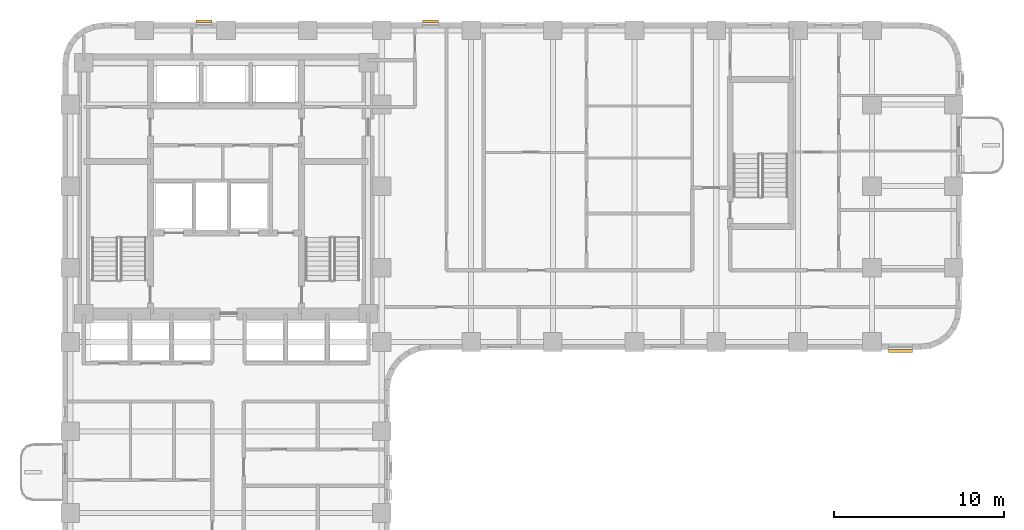
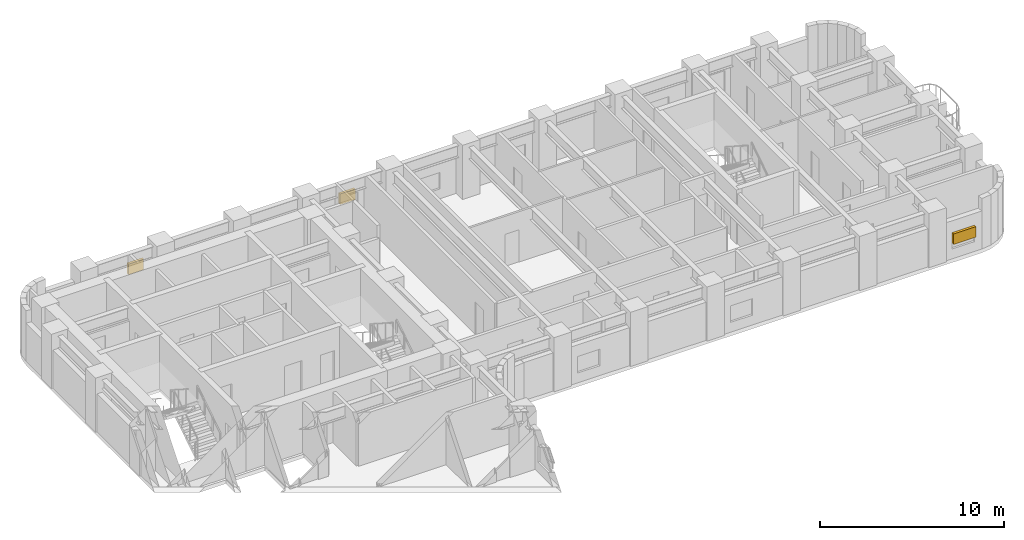
# One storey, part 9 of 11: 3 shading devices.
"""IFC4 building model written with IfcOpenShell, lengths in metres."""

from ifc_helpers import new_model, si_unit, direction, frame, origin, origin_2d, place, context, subcontext, project, spatial, rectangle, extrude, material, type_object, element, save


model = new_model("IFC4")

# Units and contexts
model_context = context("Model", 3, precision=1e-05, world=origin(), true_north=direction((0.0, 1.0)))
body_context = subcontext(model_context, "Body", "Model", "MODEL_VIEW")
ifc_project = project(units=[si_unit("LENGTHUNIT", "METRE"), si_unit("AREAUNIT", "SQUARE_METRE"), si_unit("VOLUMEUNIT", "CUBIC_METRE"), si_unit("PLANEANGLEUNIT", "RADIAN"), si_unit("MASSUNIT", "GRAM", prefix="KILO")], contexts=[model_context])

# Site, building, storey
site_placement = place(None, origin())
site = spatial("IfcSite", under=ifc_project, at=site_placement, CompositionType="ELEMENT")
building_placement = place(site_placement, origin())
building = spatial("IfcBuilding", under=site, at=building_placement, Name="Orvandelia Arch Residences", CompositionType="ELEMENT")
storey_placement = place(building_placement, frame((0.0, 0.0, 64.60009765625)))
storey = spatial("IfcBuildingStorey", under=building, at=storey_placement, Name="L16", CompositionType="ELEMENT", Elevation=64.60009765625)

# Shading devices
ifc_material = material(Name="Anodised Champagne-Bronze Extruded Aluminium", Category="aluminium")
shading_device_type = type_object("IfcShadingDeviceType", Name="SHD-JALOUSIE-SCREEN", PredefinedType="JALOUSIE", material=ifc_material)
for number, where, z_axis, x_axis, name in (
    (1, (26.4150390625, 48.080078125, 1.5498046875), (0.0, 0.0, 1.0), (1.0, 0.0, 0.0), "Bronze Jalousie Sun-Shade L16-001"),
    (2, (13.114990234375, 48.080078125, 1.5498046875), (0.0, 0.0, 1.0), (1.0, 0.0, 0.0), "Bronze Jalousie Sun-Shade L16-002"),
):
    element("IfcShadingDevice", number, at=place(storey_placement, frame(where, z_axis=z_axis, x_axis=x_axis)), inside=storey, type_object=shading_device_type, Name=name, PredefinedType="JALOUSIE", context=body_context, shape_type="SweptSolid", body=[
        extrude(rectangle(XDim=0.949951171875, YDim=0.159912109375, at=origin_2d()), origin(), (0.0, 0.0, 1.0), 0.699951171875),
    ])
shading_device_placement = place(storey_placement, frame((54.030029296875, 28.719970703125, 1.0498046875), z_axis=(0.0, 0.0, 1.0), x_axis=(-1.0, 0.0, 0.0)))
element("IfcShadingDevice", 3, at=shading_device_placement, inside=storey, type_object=shading_device_type, Name="Bronze Jalousie Sun-Shade L16-005", PredefinedType="JALOUSIE", context=body_context, shape_type="SweptSolid", body=[
    extrude(rectangle(XDim=1.39990234375, YDim=0.159912109375, at=origin_2d()), origin(), (0.0, 0.0, 1.0), 0.699951171875),
])

save(model, "model.ifc")
